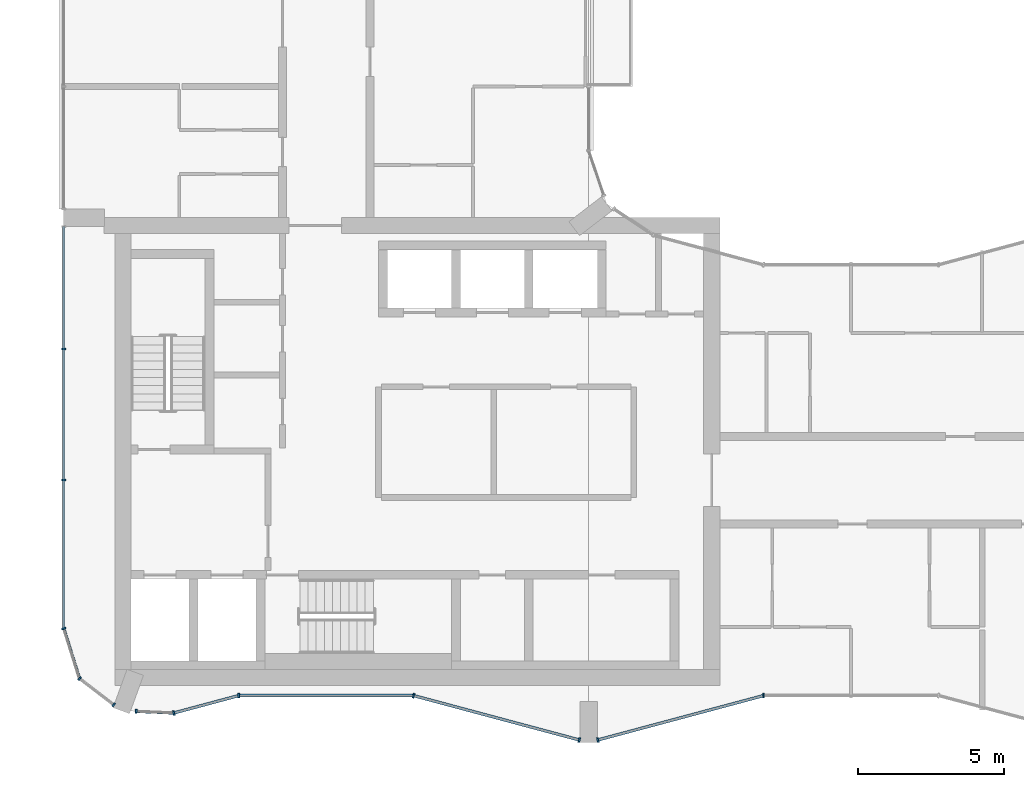
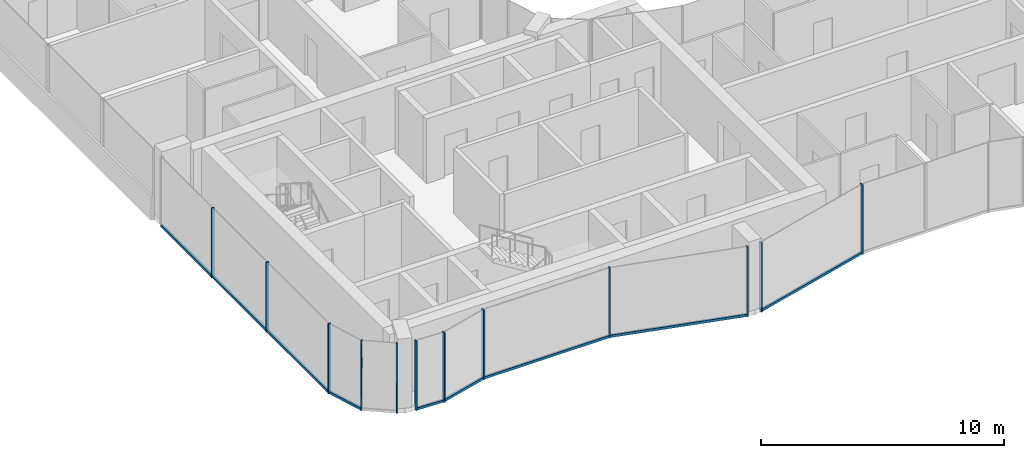
# One storey, part 2 of 15: 19 members, 9 elements without a shape of their own.
"""IFC4 building model written with IfcOpenShell, lengths in metres."""

from ifc_helpers import new_model, si_unit, direction, frame, origin, origin_2d, place, context, subcontext, project, spatial, rectangle, extrude, material, layer, layer_set, material_profile, profile_set, type_object, element, aggregate, save


model = new_model("IFC4")

# Units and contexts
model_context = context("Model", 3, precision=1e-05, world=origin(), true_north=direction((0.0, 1.0)))
body_context = subcontext(model_context, "Body", "Model", "MODEL_VIEW")
ifc_project = project(units=[si_unit("LENGTHUNIT", "METRE"), si_unit("AREAUNIT", "SQUARE_METRE"), si_unit("VOLUMEUNIT", "CUBIC_METRE"), si_unit("PLANEANGLEUNIT", "RADIAN"), si_unit("MASSUNIT", "GRAM", prefix="KILO")], contexts=[model_context])

# Site, building, storey
site_placement = place(None, origin())
site = spatial("IfcSite", under=ifc_project, at=site_placement, CompositionType="ELEMENT")
building_placement = place(site_placement, origin())
building = spatial("IfcBuilding", under=site, at=building_placement, Name="Plateau Cross Towers", CompositionType="ELEMENT")
storey_placement = place(building_placement, frame((0.0, 0.0, 201.39990234375)))
storey = spatial("IfcBuildingStorey", under=building, at=storey_placement, Name="L52", CompositionType="ELEMENT", Elevation=201.39990234375)

# Curtain wall, members
ifc_material_1 = material(Name="Dark low-iron glass", Category="glass")
ifc_layer_1 = layer(ifc_material_1, 0.239990234375)
ifc_layer_set_1 = layer_set([ifc_layer_1], Name="Dark low-iron glass")
curtain_wall_type_1 = type_object("IfcCurtainWallType", Name="Curtain wall flush unitised CW-B", PredefinedType="NOTDEFINED", material=ifc_layer_set_1)
curtain_wall_1_placement = place(storey_placement, origin())
curtain_wall_1 = element("IfcCurtainWall", 1, at=curtain_wall_1_placement, inside=storey, type_object=curtain_wall_type_1, Name="ENV/A/L52/A0_177", PredefinedType="NOTDEFINED")
ifc_material_2 = material(Name="Black anodised aluminium", Category="aluminium")
ifc_material_profile_1 = material_profile(ifc_material_2, rectangle(XDim=0.06005859375, YDim=0.139892578125, at=origin_2d()), Name="MULLION 60x140")
ifc_profile_set_1 = profile_set([ifc_material_profile_1], Name="Black anodised aluminium")
member_type_1 = type_object("IfcMemberType", Name="Mullion 60x140 flush unitised", PredefinedType="MULLION", material=ifc_profile_set_1)
member_1_placement = place(storey_placement, frame((0.0, 13.5, -0.25), z_axis=(0.0, 0.0, 1.0), x_axis=(0.0, -1.0, 0.0)))
member_1 = element("IfcMember", 2, at=member_1_placement, type_object=member_type_1, Name="CW-B mullion 2", PredefinedType="MULLION", context=body_context, shape_type="SweptSolid", body=[
    extrude(rectangle(XDim=0.06005859375, YDim=0.139892578125, at=origin_2d()), origin(), (0.0, 0.0, 1.0), 3.5),
])
member_2_placement = place(storey_placement, frame((0.0, 9.0, -0.25), z_axis=(0.0, 0.0, 1.0), x_axis=(0.0, -1.0, 0.0)))
member_2 = element("IfcMember", 3, at=member_2_placement, type_object=member_type_1, Name="CW-B mullion 3", PredefinedType="MULLION", context=body_context, shape_type="SweptSolid", body=[
    extrude(rectangle(XDim=0.06005859375, YDim=0.139892578125, at=origin_2d()), origin(), (0.0, 0.0, 1.0), 3.5),
])

# Curtain wall, member
curtain_wall_2_placement = place(storey_placement, origin())
curtain_wall_2 = element("IfcCurtainWall", 4, at=curtain_wall_2_placement, inside=storey, type_object=curtain_wall_type_1, Name="ENV/A/L52/A0_39", PredefinedType="NOTDEFINED")
member_3_placement = place(storey_placement, frame((0.0, 3.9091796875, -0.25), z_axis=(0.0, 0.0, 1.0), x_axis=(0.300686174994, -0.95372313811, 0.0)))
member_3 = element("IfcMember", 5, at=member_3_placement, type_object=member_type_1, Name="CW-B mullion 1", PredefinedType="MULLION", context=body_context, shape_type="SweptSolid", body=[
    extrude(rectangle(XDim=0.06005859375, YDim=0.139892578125, at=origin_2d()), origin(), (0.0, 0.0, 1.0), 3.5),
])

# Curtain wall, members
curtain_wall_3_placement = place(storey_placement, origin())
curtain_wall_3 = element("IfcCurtainWall", 6, at=curtain_wall_3_placement, inside=storey, type_object=curtain_wall_type_1, Name="ENV/A/L52/A5_22", PredefinedType="NOTDEFINED")
member_4_placement = place(storey_placement, frame((0.54248046875, 2.1884765625, -0.25), z_axis=(0.0, 0.0, 1.0), x_axis=(0.793315514529, -0.608810721331, 0.0)))
member_4 = element("IfcMember", 7, at=member_4_placement, type_object=member_type_1, Name="CW-B mullion 1", PredefinedType="MULLION", context=body_context, shape_type="SweptSolid", body=[
    extrude(rectangle(XDim=0.06005859375, YDim=0.139892578125, at=origin_2d()), origin(), (0.0, 0.0, 1.0), 3.5),
])
member_5_placement = place(storey_placement, frame((1.709716796875, 1.292724609375, -0.25), z_axis=(0.0, 0.0, 1.0), x_axis=(0.793315514529, -0.608810721331, 0.0)))
member_5 = element("IfcMember", 8, at=member_5_placement, type_object=member_type_1, Name="CW-B mullion 2", PredefinedType="MULLION", context=body_context, shape_type="SweptSolid", body=[
    extrude(rectangle(XDim=0.06005859375, YDim=0.139892578125, at=origin_2d()), origin(), (0.0, 0.0, 1.0), 3.5),
])
aggregate(curtain_wall_3, [member_4, member_5])

# Curtain wall, member
curtain_wall_4_placement = place(storey_placement, origin())
curtain_wall_4 = element("IfcCurtainWall", 9, at=curtain_wall_4_placement, inside=storey, type_object=curtain_wall_type_1, Name="ENV/A/L52/A25_11", PredefinedType="NOTDEFINED")
member_6_placement = place(storey_placement, frame((2.483642578125, 1.06787109375, -0.25), z_axis=(0.0, 0.0, 1.0), x_axis=(0.999043701491, -0.043722791671, 0.0)))
member_6 = element("IfcMember", 10, at=member_6_placement, type_object=member_type_1, Name="CW-B mullion 1", PredefinedType="MULLION", context=body_context, shape_type="SweptSolid", body=[
    extrude(rectangle(XDim=0.06005859375, YDim=0.139892578125, at=origin_2d()), origin(), (0.0, 0.0, 1.0), 3.5),
])

ifc_layer_2 = layer(ifc_material_1, 0.260009765625)
ifc_layer_set_2 = layer_set([ifc_layer_2], Name="Dark low-iron glass")
curtain_wall_type_2 = type_object("IfcCurtainWallType", Name="Curtain wall fluted unitised CW-A", PredefinedType="NOTDEFINED", material=ifc_layer_set_2)
curtain_wall_5_placement = place(storey_placement, origin())
curtain_wall_5 = element("IfcCurtainWall", 11, at=curtain_wall_5_placement, inside=storey, type_object=curtain_wall_type_2, Name="ENV/A/L52/A38_10", PredefinedType="NOTDEFINED")
ifc_material_profile_2 = material_profile(ifc_material_2, rectangle(XDim=0.06005859375, YDim=0.159912109375, at=origin_2d()), Name="MULLION 60x160")
ifc_profile_set_2 = profile_set([ifc_material_profile_2], Name="Black anodised aluminium")
member_type_2 = type_object("IfcMemberType", Name="Mullion 60x160 fluted unitised", PredefinedType="MULLION", material=ifc_profile_set_2)
member_7_placement = place(storey_placement, frame((3.776123046875, 1.01123046875, -0.25), z_axis=(0.0, 0.0, 1.0), x_axis=(0.965957962328, 0.258699081978, 0.0)))
member_7 = element("IfcMember", 12, at=member_7_placement, type_object=member_type_2, Name="CW-A mullion 1", PredefinedType="MULLION", context=body_context, shape_type="SweptSolid", body=[
    extrude(rectangle(XDim=0.06005859375, YDim=0.159912109375, at=origin_2d()), origin(), (0.0, 0.0, 1.0), 3.5),
])

curtain_wall_6_placement = place(storey_placement, origin())
curtain_wall_6 = element("IfcCurtainWall", 13, at=curtain_wall_6_placement, inside=storey, type_object=curtain_wall_type_2, Name="ENV/A/L52/A60_16", PredefinedType="NOTDEFINED")
member_8_placement = place(storey_placement, frame((6.0, 1.60693359375, -0.25), z_axis=(0.0, 0.0, 1.0), x_axis=(1.0, 0.0, 0.0)))
member_8 = element("IfcMember", 14, at=member_8_placement, type_object=member_type_2, Name="CW-A mullion 1", PredefinedType="MULLION", context=body_context, shape_type="SweptSolid", body=[
    extrude(rectangle(XDim=0.06005859375, YDim=0.159912109375, at=origin_2d()), origin(), (0.0, 0.0, 1.0), 3.5),
])

# Curtain wall, members
curtain_wall_7_placement = place(storey_placement, origin())
curtain_wall_7 = element("IfcCurtainWall", 15, at=curtain_wall_7_placement, inside=storey, type_object=curtain_wall_type_2, Name="ENV/A/L52/A120_16", PredefinedType="NOTDEFINED")
member_9_placement = place(storey_placement, frame((12.0, 1.60693359375, -0.25), z_axis=(0.0, 0.0, 1.0), x_axis=(0.965957983404, -0.258699003279, 0.0)))
member_9 = element("IfcMember", 16, at=member_9_placement, type_object=member_type_2, Name="CW-A mullion 1", PredefinedType="MULLION", context=body_context, shape_type="SweptSolid", body=[
    extrude(rectangle(XDim=0.06005859375, YDim=0.159912109375, at=origin_2d()), origin(), (0.0, 0.0, 1.0), 3.5),
])
member_10_placement = place(storey_placement, frame((17.68212890625, 0.085205078125, -0.25), z_axis=(0.0, 0.0, 1.0), x_axis=(0.965957983404, -0.258699003279, 0.0)))
member_10 = element("IfcMember", 17, at=member_10_placement, type_object=member_type_2, Name="CW-A mullion 2", PredefinedType="MULLION", context=body_context, shape_type="SweptSolid", body=[
    extrude(rectangle(XDim=0.06005859375, YDim=0.159912109375, at=origin_2d()), origin(), (0.0, 0.0, 1.0), 3.5),
])

# Curtain wall, member
curtain_wall_8_placement = place(storey_placement, origin())
curtain_wall_8 = element("IfcCurtainWall", 18, at=curtain_wall_8_placement, inside=storey, type_object=curtain_wall_type_2, Name="ENV/A/L52/A183_1", PredefinedType="NOTDEFINED")
member_11_placement = place(storey_placement, frame((18.31787109375, 0.085205078125, -0.25), z_axis=(0.0, 0.0, 1.0), x_axis=(0.965957983404, 0.258699003279, 0.0)))
member_11 = element("IfcMember", 19, at=member_11_placement, type_object=member_type_2, Name="CW-A mullion 1", PredefinedType="MULLION", context=body_context, shape_type="SweptSolid", body=[
    extrude(rectangle(XDim=0.06005859375, YDim=0.159912109375, at=origin_2d()), origin(), (0.0, 0.0, 1.0), 3.5),
])

curtain_wall_9_placement = place(storey_placement, origin())
curtain_wall_9 = element("IfcCurtainWall", 20, at=curtain_wall_9_placement, inside=storey, type_object=curtain_wall_type_2, Name="ENV/A/L52/A240_16", PredefinedType="NOTDEFINED")
member_12_placement = place(storey_placement, frame((24.0, 1.60693359375, -0.25), z_axis=(0.0, 0.0, 1.0), x_axis=(1.0, 0.0, 0.0)))
member_12 = element("IfcMember", 21, at=member_12_placement, type_object=member_type_2, Name="CW-A mullion 1", PredefinedType="MULLION", context=body_context, shape_type="SweptSolid", body=[
    extrude(rectangle(XDim=0.06005859375, YDim=0.159912109375, at=origin_2d()), origin(), (0.0, 0.0, 1.0), 3.5),
])
aggregate(curtain_wall_9, [member_12])

# Member
ifc_material_profile_3 = material_profile(ifc_material_2, rectangle(XDim=0.10009765625, YDim=0.1201171875, at=origin_2d()), Name="TRANSOM 100x120")
ifc_profile_set_3 = profile_set([ifc_material_profile_3], Name="Black anodised aluminium")
member_type_3 = type_object("IfcMemberType", Name="Transom 100x120 flush unitised", PredefinedType="USERDEFINED", material=ifc_profile_set_3)
member_13_placement = place(storey_placement, frame((0.0, 17.699951171875, -0.18994140625), z_axis=(0.0, -1.0, 0.0), x_axis=(1.0, 0.0, 0.0)))
member_13 = element("IfcMember", 22, at=member_13_placement, type_object=member_type_3, Name="CW-B transom", ObjectType="TRANSOM", PredefinedType="USERDEFINED", context=body_context, shape_type="SweptSolid", body=[
    extrude(rectangle(XDim=0.10009765625, YDim=0.1201171875, at=origin_2d()), origin(), (0.0, 0.0, 1.0), 13.790771484375),
])

aggregate(curtain_wall_1, [member_1, member_2, member_13])

member_14_placement = place(storey_placement, frame((0.0, 3.9091796875, -0.18994140625), z_axis=(0.30067799945, -0.953725715626, 0.0), x_axis=(0.953725715626, 0.30067799945, 0.0)))
member_14 = element("IfcMember", 23, at=member_14_placement, type_object=member_type_3, Name="CW-B transom", ObjectType="TRANSOM", PredefinedType="USERDEFINED", context=body_context, shape_type="SweptSolid", body=[
    extrude(rectangle(XDim=0.10009765625, YDim=0.1201171875, at=origin_2d()), origin(), (0.0, 0.0, 1.0), 1.80419921875),
])

aggregate(curtain_wall_2, [member_3, member_14])

member_15_placement = place(storey_placement, frame((2.483642578125, 1.06787109375, -0.18994140625), z_axis=(0.999041144614, -0.043781175963, 0.0), x_axis=(0.043781175963, 0.999041144614, 0.0)))
member_15 = element("IfcMember", 24, at=member_15_placement, type_object=member_type_3, Name="CW-B transom", ObjectType="TRANSOM", PredefinedType="USERDEFINED", context=body_context, shape_type="SweptSolid", body=[
    extrude(rectangle(XDim=0.10009765625, YDim=0.1201171875, at=origin_2d()), origin(), (0.0, 0.0, 1.0), 1.293701171875),
])

aggregate(curtain_wall_4, [member_6, member_15])

ifc_material_profile_4 = material_profile(ifc_material_2, rectangle(XDim=0.10009765625, YDim=0.1201171875, at=origin_2d()), Name="TRANSOM 100x120")
ifc_profile_set_4 = profile_set([ifc_material_profile_4], Name="Black anodised aluminium")
member_type_4 = type_object("IfcMemberType", Name="Transom 100x120 fluted unitised", PredefinedType="USERDEFINED", material=ifc_profile_set_4)
member_16_placement = place(storey_placement, frame((3.776123046875, 1.01123046875, -0.18994140625), z_axis=(0.965945685136, 0.258744919501, 0.0), x_axis=(-0.258744919501, 0.965945685136, 0.0)))
member_16 = element("IfcMember", 25, at=member_16_placement, type_object=member_type_4, Name="CW-A transom", ObjectType="TRANSOM", PredefinedType="USERDEFINED", context=body_context, shape_type="SweptSolid", body=[
    extrude(rectangle(XDim=0.10009765625, YDim=0.1201171875, at=origin_2d()), origin(), (0.0, 0.0, 1.0), 2.30224609375),
])

aggregate(curtain_wall_5, [member_7, member_16])

member_17_placement = place(storey_placement, frame((6.0, 1.60693359375, -0.18994140625), z_axis=(1.0, 0.0, 0.0), x_axis=(0.0, 1.0, 0.0)))
member_17 = element("IfcMember", 26, at=member_17_placement, type_object=member_type_4, Name="CW-A transom", ObjectType="TRANSOM", PredefinedType="USERDEFINED", context=body_context, shape_type="SweptSolid", body=[
    extrude(rectangle(XDim=0.10009765625, YDim=0.1201171875, at=origin_2d()), origin(), (0.0, 0.0, 1.0), 6.0),
])

aggregate(curtain_wall_6, [member_8, member_17])

member_18_placement = place(storey_placement, frame((12.0, 1.60693359375, -0.18994140625), z_axis=(0.965959534794, -0.258693210465, 0.0), x_axis=(0.258693210465, 0.965959534794, 0.0)))
member_18 = element("IfcMember", 27, at=member_18_placement, type_object=member_type_4, Name="CW-A transom", ObjectType="TRANSOM", PredefinedType="USERDEFINED", context=body_context, shape_type="SweptSolid", body=[
    extrude(rectangle(XDim=0.10009765625, YDim=0.1201171875, at=origin_2d()), origin(), (0.0, 0.0, 1.0), 5.88232421875),
])

aggregate(curtain_wall_7, [member_9, member_10, member_18])

member_19_placement = place(storey_placement, frame((18.31787109375, 0.085205078125, -0.18994140625), z_axis=(0.965959534794, 0.258693210465, 0.0), x_axis=(-0.258693210465, 0.965959534794, 0.0)))
member_19 = element("IfcMember", 28, at=member_19_placement, type_object=member_type_4, Name="CW-A transom", ObjectType="TRANSOM", PredefinedType="USERDEFINED", context=body_context, shape_type="SweptSolid", body=[
    extrude(rectangle(XDim=0.10009765625, YDim=0.1201171875, at=origin_2d()), origin(), (0.0, 0.0, 1.0), 5.88232421875),
])

aggregate(curtain_wall_8, [member_11, member_19])

save(model, "model.ifc")
